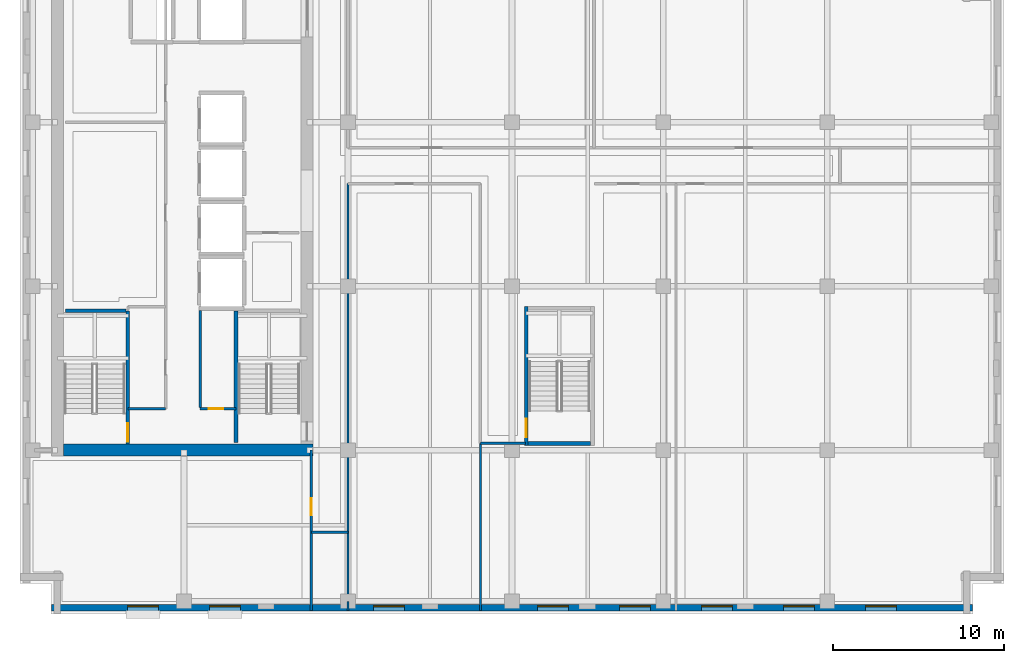
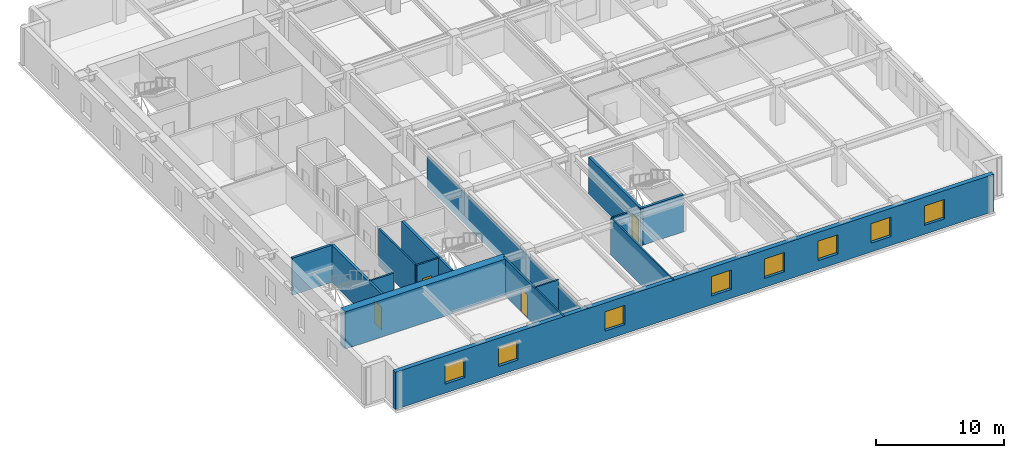
# One storey, part 3 of 14: 16 walls, 8 windows, 4 doors, 12 openings.
"""IFC4 building model written with IfcOpenShell, lengths in metres."""

from ifc_helpers import new_model, si_unit, direction, frame, frame_2d, origin, place, context, subcontext, project, spatial, rectangle, extrude, material, layer, layer_set, type_object, element, fill, save


model = new_model("IFC4")

# Units and contexts
model_context = context("Model", 3, precision=1e-05, world=origin(), true_north=direction((0.0, 1.0)))
body_context = subcontext(model_context, "Body", "Model", "MODEL_VIEW")
ifc_project = project(units=[si_unit("LENGTHUNIT", "METRE"), si_unit("AREAUNIT", "SQUARE_METRE"), si_unit("VOLUMEUNIT", "CUBIC_METRE"), si_unit("PLANEANGLEUNIT", "RADIAN"), si_unit("MASSUNIT", "GRAM", prefix="KILO")], contexts=[model_context])

# Site, building, storey
site_placement = place(None, origin())
site = spatial("IfcSite", under=ifc_project, at=site_placement, CompositionType="ELEMENT")
building_placement = place(site_placement, origin())
building = spatial("IfcBuilding", under=site, at=building_placement, Name="Norrvale University Quadrangle", CompositionType="ELEMENT")
storey_placement = place(building_placement, frame((0.0, 0.0, 214.199951171875)))
storey = spatial("IfcBuildingStorey", under=building, at=storey_placement, Name="L54", CompositionType="ELEMENT", Elevation=214.199951171875)

# Walls
ifc_material_1 = material(Name="Concrete C60/75", Category="concrete")
ifc_layer_1 = layer(ifc_material_1, 0.699951171875, Name="Concrete C60/75")
ifc_layer_set_1 = layer_set([ifc_layer_1], Name="Concrete C60/75")
wall_type_1 = type_object("IfcWallType", Name="Wall Core 700", PredefinedType="SHEAR", material=ifc_layer_set_1)
wall_1_placement = place(storey_placement, frame((2.550048828125, 9.60009765625, 0.0), z_axis=(0.0, 0.0, 1.0), x_axis=(1.0, 0.0, 0.0)))
element("IfcWall", 1, at=wall_1_placement, inside=storey, type_object=wall_type_1, Name="Tower Core Shear Wall L54-S", PredefinedType="SHEAR", context=body_context, shape_type="SweptSolid", body=[
    extrude(rectangle(XDim=14.599853515625, YDim=0.699951171875, at=frame_2d((7.2998046875, 0.0))), origin(), (0.0, 0.0, 1.0), 3.5400390625),
])
ifc_material_2 = material(Name="Standard Academic Gypsum Partition")
ifc_layer_2 = layer(ifc_material_2, 0.125, Name="Standard Academic Gypsum Partition")
ifc_layer_set_2 = layer_set([ifc_layer_2], Name="Standard Academic Gypsum Partition")
wall_type_2 = type_object("IfcWallType", Name="Wall Gypsum Academic 125", PredefinedType="PARTITIONING", material=ifc_layer_set_2)
wall_2_placement = place(storey_placement, frame((19.199951171875, 0.219970703125, 0.0), z_axis=(0.0, 0.0, 1.0), x_axis=(0.0, 1.0, 0.0)))
element("IfcWall", 2, at=wall_2_placement, inside=storey, type_object=wall_type_2, Name="Interior Partition WL-L54-SE-W0", PredefinedType="PARTITIONING", context=body_context, shape_type="SweptSolid", body=[
    extrude(rectangle(XDim=0.530029296875, YDim=0.125, at=frame_2d((0.26513671875, 0.0))), origin(), (0.0, 0.0, 1.0), 3.5400390625),
])
wall_3_placement = place(storey_placement, frame((19.199951171875, 0.75, 0.0), z_axis=(0.0, 0.0, 1.0), x_axis=(0.0, 1.0, 0.0)))
element("IfcWall", 3, at=wall_3_placement, inside=storey, type_object=wall_type_2, Name="Interior Partition WL-L54-SE-W0-B2", PredefinedType="PARTITIONING", context=body_context, shape_type="SweptSolid", body=[
    extrude(rectangle(XDim=24.449951171875, YDim=0.125, at=frame_2d((12.22509765625, 0.0))), origin(), (0.0, 0.0, 1.0), 2.924072265625),
])
wall_4_placement = place(storey_placement, frame((26.949951171875, 0.219970703125, 0.0), z_axis=(0.0, 0.0, 1.0), x_axis=(0.0, 1.0, 0.0)))
element("IfcWall", 4, at=wall_4_placement, inside=storey, type_object=wall_type_2, Name="Interior Partition WL-L54-SEP1A", PredefinedType="PARTITIONING", context=body_context, shape_type="SweptSolid", body=[
    extrude(rectangle(XDim=9.780029296875, YDim=0.125, at=frame_2d((4.89013671875, 0.0))), origin(), (0.0, 0.0, 1.0), 3.5400390625),
])

# Wall, opening, door
ifc_material_3 = material(Name="Fire-Rated Gypsum Stud Partition")
ifc_layer_3 = layer(ifc_material_3, 0.14990234375, Name="Fire-Rated Gypsum Stud Partition")
ifc_layer_set_3 = layer_set([ifc_layer_3], Name="Fire-Rated Gypsum Stud Partition")
wall_type_3 = type_object("IfcWallType", Name="Wall Gypsum Corridor 150", PredefinedType="PARTITIONING", material=ifc_layer_set_3)
wall_5_placement = place(storey_placement, frame((10.550048828125, 12.02001953125, 0.0), z_axis=(0.0, 0.0, 1.0), x_axis=(1.0, 0.0, 0.0)))
wall_5 = element("IfcWall", 5, at=wall_5_placement, inside=storey, type_object=wall_type_3, Name="Interior Partition WL-L54-SC-NR", PredefinedType="PARTITIONING", context=body_context, shape_type="SweptSolid", body=[
    extrude(rectangle(XDim=2.079833984375, YDim=0.14990234375, at=frame_2d((1.0400390625, 0.0))), origin(), (0.0, 0.0, 1.0), 3.5400390625),
])
opening_1_placement = place(wall_5_placement, frame((0.5, 0.0, 0.0)))
opening_1 = element("IfcOpeningElement", 6, at=opening_1_placement, cuts=wall_5, Name="Opening D10", PredefinedType="OPENING", context=body_context, shape_type="SweptSolid", body=[
    extrude(rectangle(XDim=0.85009765625, YDim=2.10009765625, at=frame_2d((0.425048828125, 1.050048828125))), frame((0.0, 0.0869140625, 0.0), z_axis=(0.0, -1.0, 0.0), x_axis=(1.0, 0.0, 0.0)), (0.0, 0.0, 1.0), 0.173828125),
])
ifc_material_4 = material(Name="Hollow Steel 350W Riser Fire Door", Category="steel")
door_type_1 = type_object("IfcDoorType", Name="Door Riser 850x2100", OperationType="NOTDEFINED", PredefinedType="DOOR", material=ifc_material_4)
door_1_placement = place(opening_1_placement, origin())
door_1 = element("IfcDoor", 7, at=door_1_placement, inside=storey, type_object=door_type_1, Name="Door Riser 850x2100 DR-L54-IDF", OperationType="SINGLE_SWING_RIGHT", OverallHeight=2.10009765625, OverallWidth=0.85009765625, PredefinedType="DOOR", context=body_context, shape_type="SweptSolid", body=[
    extrude(rectangle(XDim=0.85009765625, YDim=2.10009765625, at=frame_2d((0.425048828125, 1.050048828125))), frame((0.0, 0.02490234375, 0.0), z_axis=(0.0, -1.0, 0.0), x_axis=(1.0, 0.0, 0.0)), (0.0, 0.0, 1.0), 0.050048828125),
])
fill(opening_1, door_1)

# Walls
wall_6_placement = place(storey_placement, frame((10.550048828125, 12.094970703125, 0.0), z_axis=(0.0, 0.0, 1.0), x_axis=(0.0, 1.0, 0.0)))
element("IfcWall", 8, at=wall_6_placement, inside=storey, type_object=wall_type_3, Name="Interior Partition WL-L54-SC-WR", PredefinedType="PARTITIONING", context=body_context, shape_type="SweptSolid", body=[
    extrude(rectangle(XDim=5.679931640625, YDim=0.14990234375, at=frame_2d((2.83984375, 0.0))), origin(), (0.0, 0.0, 1.0), 3.5400390625),
])
wall_7_placement = place(storey_placement, frame((6.320068359375, 12.02001953125, 0.0), z_axis=(0.0, 0.0, 1.0), x_axis=(1.0, 0.0, 0.0)))
element("IfcWall", 9, at=wall_7_placement, inside=storey, type_object=wall_type_3, Name="Interior Partition WL-L54-REC-S", PredefinedType="PARTITIONING", context=body_context, shape_type="SweptSolid", body=[
    extrude(rectangle(XDim=2.199951171875, YDim=0.14990234375, at=frame_2d((1.10009765625, 0.0))), origin(), (0.0, 0.0, 1.0), 3.5400390625),
])
wall_8_placement = place(storey_placement, frame((17.050048828125, 4.800048828125, 0.0), z_axis=(0.0, 0.0, 1.0), x_axis=(1.0, 0.0, 0.0)))
element("IfcWall", 10, at=wall_8_placement, inside=storey, type_object=wall_type_3, Name="Interior Partition WL-L54-CSP-S", PredefinedType="PARTITIONING", context=body_context, shape_type="SweptSolid", body=[
    extrude(rectangle(XDim=2.14990234375, YDim=0.14990234375, at=frame_2d((1.074951171875, 0.0))), origin(), (0.0, 0.0, 1.0), 3.5400390625),
])

# Wall, opening, door
wall_9_placement = place(storey_placement, frame((17.050048828125, 0.219970703125, 0.0), z_axis=(0.0, 0.0, 1.0), x_axis=(0.0, 1.0, 0.0)))
wall_9 = element("IfcWall", 11, at=wall_9_placement, inside=storey, type_object=wall_type_3, Name="Interior Partition WL-L54-SW-E", PredefinedType="PARTITIONING", context=body_context, shape_type="SweptSolid", body=[
    extrude(rectangle(XDim=9.380126953125, YDim=0.14990234375, at=frame_2d((4.68994140625, 0.0))), origin(), (0.0, 0.0, 1.0), 3.5400390625),
])
opening_2_placement = place(wall_9_placement, frame((5.580078125, 0.0, 0.0)))
opening_2 = element("IfcOpeningElement", 12, at=opening_2_placement, cuts=wall_9, Name="Opening D04", PredefinedType="OPENING", context=body_context, shape_type="SweptSolid", body=[
    extrude(rectangle(XDim=1.0, YDim=2.199951171875, at=frame_2d((0.5, 1.10009765625))), frame((0.0, 0.0869140625, 0.0), z_axis=(0.0, -1.0, 0.0), x_axis=(1.0, 0.0, 0.0)), (0.0, 0.0, 1.0), 0.173828125),
])
ifc_material_5 = material(Name="Solid-Core Oak Fire Door", Category="wood")
door_type_2 = type_object("IfcDoorType", Name="Door Corridor 1000x2200", OperationType="NOTDEFINED", PredefinedType="DOOR", material=ifc_material_5)
door_2_placement = place(opening_2_placement, origin())
door_2 = element("IfcDoor", 13, at=door_2_placement, inside=storey, type_object=door_type_2, Name="Door Corridor 1000x2200 DR-L54-SW1", OperationType="SINGLE_SWING_LEFT", OverallHeight=2.199951171875, OverallWidth=1.0, PredefinedType="DOOR", context=body_context, shape_type="SweptSolid", body=[
    extrude(rectangle(XDim=1.0, YDim=2.199951171875, at=frame_2d((0.5, 1.10009765625))), frame((0.0, 0.02490234375, 0.0), z_axis=(0.0, -1.0, 0.0), x_axis=(1.0, 0.0, 0.0)), (0.0, 0.0, 1.0), 0.050048828125),
])
fill(opening_2, door_2)

# Wall
wall_10_placement = place(storey_placement, frame((26.949951171875, 10.0, 0.0), z_axis=(0.0, 0.0, 1.0), x_axis=(1.0, 0.0, 0.0)))
element("IfcWall", 14, at=wall_10_placement, inside=storey, type_object=wall_type_3, Name="Interior Partition WL-L54-SEP1C", PredefinedType="PARTITIONING", context=body_context, shape_type="SweptSolid", body=[
    extrude(rectangle(XDim=2.630126953125, YDim=0.14990234375, at=frame_2d((1.31494140625, 0.0))), origin(), (0.0, 0.0, 1.0), 3.5400390625),
])

# Wall, openings, windows
ifc_material_6 = material(Name="Red Manganese Brick Masonry", Category="masonry")
ifc_layer_4 = layer(ifc_material_6, 0.39990234375, Name="Red Manganese Brick Masonry")
ifc_layer_set_4 = layer_set([ifc_layer_4], Name="Red Manganese Brick Masonry")
wall_type_4 = type_object("IfcWallType", Name="Wall Red Brick 400", PredefinedType="SOLIDWALL", material=ifc_layer_set_4)
wall_11_placement = place(storey_placement, frame((1.840087890625, 0.3798828125, 0.0), z_axis=(0.0, 0.0, 1.0), x_axis=(1.0, 0.0, 0.0)))
wall_11 = element("IfcWall", 15, at=wall_11_placement, inside=storey, type_object=wall_type_4, Name="Exterior Brick Facade Wall L54-01.1", PredefinedType="SOLIDWALL", context=body_context, shape_type="SweptSolid", body=[
    extrude(rectangle(XDim=53.919921875, YDim=0.39990234375, at=frame_2d((26.9599609375, 0.0))), origin(), (0.0, 0.0, 1.0), 3.5400390625),
])
opening_3_placement = place(wall_11_placement, frame((4.4599609375, 0.0, 0.85009765625)))
opening_3 = element("IfcOpeningElement", 16, at=opening_3_placement, cuts=wall_11, Name="Opening W01", PredefinedType="OPENING", context=body_context, shape_type="SweptSolid", body=[
    extrude(rectangle(XDim=1.800048828125, YDim=1.85009765625, at=frame_2d((0.89990234375, 0.925048828125))), frame((0.0, 0.2119140625, 0.0), z_axis=(0.0, -1.0, 0.0), x_axis=(1.0, 0.0, 0.0)), (0.0, 0.0, 1.0), 0.423828125),
])
opening_4_placement = place(wall_11_placement, frame((9.260009765625, 0.0, 0.85009765625)))
opening_4 = element("IfcOpeningElement", 17, at=opening_4_placement, cuts=wall_11, Name="Opening W01", PredefinedType="OPENING", context=body_context, shape_type="SweptSolid", body=[
    extrude(rectangle(XDim=1.800048828125, YDim=1.85009765625, at=frame_2d((0.89990234375, 0.925048828125))), frame((0.0, 0.2119140625, 0.0), z_axis=(0.0, -1.0, 0.0), x_axis=(1.0, 0.0, 0.0)), (0.0, 0.0, 1.0), 0.423828125),
])
opening_5_placement = place(wall_11_placement, frame((18.860107421875, 0.0, 0.85009765625)))
opening_5 = element("IfcOpeningElement", 18, at=opening_5_placement, cuts=wall_11, Name="Opening W01", PredefinedType="OPENING", context=body_context, shape_type="SweptSolid", body=[
    extrude(rectangle(XDim=1.800048828125, YDim=1.85009765625, at=frame_2d((0.89990234375, 0.925048828125))), frame((0.0, 0.2119140625, 0.0), z_axis=(0.0, -1.0, 0.0), x_axis=(1.0, 0.0, 0.0)), (0.0, 0.0, 1.0), 0.423828125),
])
opening_6_placement = place(wall_11_placement, frame((28.4599609375, 0.0, 0.85009765625)))
opening_6 = element("IfcOpeningElement", 19, at=opening_6_placement, cuts=wall_11, Name="Opening W01", PredefinedType="OPENING", context=body_context, shape_type="SweptSolid", body=[
    extrude(rectangle(XDim=1.800048828125, YDim=1.85009765625, at=frame_2d((0.89990234375, 0.925048828125))), frame((0.0, 0.2119140625, 0.0), z_axis=(0.0, -1.0, 0.0), x_axis=(1.0, 0.0, 0.0)), (0.0, 0.0, 1.0), 0.423828125),
])
opening_7_placement = place(wall_11_placement, frame((33.260009765625, 0.0, 0.85009765625)))
opening_7 = element("IfcOpeningElement", 20, at=opening_7_placement, cuts=wall_11, Name="Opening W01", PredefinedType="OPENING", context=body_context, shape_type="SweptSolid", body=[
    extrude(rectangle(XDim=1.800048828125, YDim=1.85009765625, at=frame_2d((0.89990234375, 0.925048828125))), frame((0.0, 0.2119140625, 0.0), z_axis=(0.0, -1.0, 0.0), x_axis=(1.0, 0.0, 0.0)), (0.0, 0.0, 1.0), 0.423828125),
])
opening_8_placement = place(wall_11_placement, frame((38.06005859375, 0.0, 0.85009765625)))
opening_8 = element("IfcOpeningElement", 21, at=opening_8_placement, cuts=wall_11, Name="Opening W01", PredefinedType="OPENING", context=body_context, shape_type="SweptSolid", body=[
    extrude(rectangle(XDim=1.800048828125, YDim=1.85009765625, at=frame_2d((0.89990234375, 0.925048828125))), frame((0.0, 0.2119140625, 0.0), z_axis=(0.0, -1.0, 0.0), x_axis=(1.0, 0.0, 0.0)), (0.0, 0.0, 1.0), 0.423828125),
])
opening_9_placement = place(wall_11_placement, frame((42.860107421875, 0.0, 0.85009765625)))
opening_9 = element("IfcOpeningElement", 22, at=opening_9_placement, cuts=wall_11, Name="Opening W01", PredefinedType="OPENING", context=body_context, shape_type="SweptSolid", body=[
    extrude(rectangle(XDim=1.800048828125, YDim=1.85009765625, at=frame_2d((0.89990234375, 0.925048828125))), frame((0.0, 0.2119140625, 0.0), z_axis=(0.0, -1.0, 0.0), x_axis=(1.0, 0.0, 0.0)), (0.0, 0.0, 1.0), 0.423828125),
])
opening_10_placement = place(wall_11_placement, frame((47.659912109375, 0.0, 0.85009765625)))
opening_10 = element("IfcOpeningElement", 23, at=opening_10_placement, cuts=wall_11, Name="Opening W01", PredefinedType="OPENING", context=body_context, shape_type="SweptSolid", body=[
    extrude(rectangle(XDim=1.800048828125, YDim=1.85009765625, at=frame_2d((0.89990234375, 0.925048828125))), frame((0.0, 0.2119140625, 0.0), z_axis=(0.0, -1.0, 0.0), x_axis=(1.0, 0.0, 0.0)), (0.0, 0.0, 1.0), 0.423828125),
])
ifc_material_7 = material(Name="Triple Low-E Argon Glazing", Category="glass")
window_type = type_object("IfcWindowType", Name="Window Academic 1800x2300", PartitioningType="DOUBLE_PANEL_VERTICAL", PredefinedType="WINDOW", material=ifc_material_7)
window_1_placement = place(opening_3_placement, origin())
window_1 = element("IfcWindow", 24, at=window_1_placement, inside=storey, type_object=window_type, Name="Window Academic 1800x2300 WIN-L54-E01-1-01", OverallHeight=1.85009765625, OverallWidth=1.800048828125, PartitioningType="DOUBLE_PANEL_VERTICAL", PredefinedType="WINDOW", context=body_context, shape_type="SweptSolid", body=[
    extrude(rectangle(XDim=1.800048828125, YDim=1.85009765625, at=frame_2d((0.89990234375, 0.925048828125))), frame((0.0, 0.110107421875, 0.0), z_axis=(0.0, -1.0, 0.0), x_axis=(1.0, 0.0, 0.0)), (0.0, 0.0, 1.0), 0.06005859375),
])
fill(opening_3, window_1)
window_2_placement = place(opening_4_placement, origin())
window_2 = element("IfcWindow", 25, at=window_2_placement, inside=storey, type_object=window_type, Name="Window Academic 1800x2300 WIN-L54-E01-1-02", OverallHeight=1.85009765625, OverallWidth=1.800048828125, PartitioningType="DOUBLE_PANEL_VERTICAL", PredefinedType="WINDOW", context=body_context, shape_type="SweptSolid", body=[
    extrude(rectangle(XDim=1.800048828125, YDim=1.85009765625, at=frame_2d((0.89990234375, 0.925048828125))), frame((0.0, 0.110107421875, 0.0), z_axis=(0.0, -1.0, 0.0), x_axis=(1.0, 0.0, 0.0)), (0.0, 0.0, 1.0), 0.06005859375),
])
fill(opening_4, window_2)
window_3_placement = place(opening_5_placement, origin())
window_3 = element("IfcWindow", 26, at=window_3_placement, inside=storey, type_object=window_type, Name="Window Academic 1800x2300 WIN-L54-E01-1-03", OverallHeight=1.85009765625, OverallWidth=1.800048828125, PartitioningType="DOUBLE_PANEL_VERTICAL", PredefinedType="WINDOW", context=body_context, shape_type="SweptSolid", body=[
    extrude(rectangle(XDim=1.800048828125, YDim=1.85009765625, at=frame_2d((0.89990234375, 0.925048828125))), frame((0.0, 0.110107421875, 0.0), z_axis=(0.0, -1.0, 0.0), x_axis=(1.0, 0.0, 0.0)), (0.0, 0.0, 1.0), 0.06005859375),
])
fill(opening_5, window_3)
window_4_placement = place(opening_6_placement, origin())
window_4 = element("IfcWindow", 27, at=window_4_placement, inside=storey, type_object=window_type, Name="Window Academic 1800x2300 WIN-L54-E01-1-04", OverallHeight=1.85009765625, OverallWidth=1.800048828125, PartitioningType="DOUBLE_PANEL_VERTICAL", PredefinedType="WINDOW", context=body_context, shape_type="SweptSolid", body=[
    extrude(rectangle(XDim=1.800048828125, YDim=1.85009765625, at=frame_2d((0.89990234375, 0.925048828125))), frame((0.0, 0.110107421875, 0.0), z_axis=(0.0, -1.0, 0.0), x_axis=(1.0, 0.0, 0.0)), (0.0, 0.0, 1.0), 0.06005859375),
])
fill(opening_6, window_4)
window_5_placement = place(opening_7_placement, origin())
window_5 = element("IfcWindow", 28, at=window_5_placement, inside=storey, type_object=window_type, Name="Window Academic 1800x2300 WIN-L54-E01-1-05", OverallHeight=1.85009765625, OverallWidth=1.800048828125, PartitioningType="DOUBLE_PANEL_VERTICAL", PredefinedType="WINDOW", context=body_context, shape_type="SweptSolid", body=[
    extrude(rectangle(XDim=1.800048828125, YDim=1.85009765625, at=frame_2d((0.89990234375, 0.925048828125))), frame((0.0, 0.110107421875, 0.0), z_axis=(0.0, -1.0, 0.0), x_axis=(1.0, 0.0, 0.0)), (0.0, 0.0, 1.0), 0.06005859375),
])
fill(opening_7, window_5)
window_6_placement = place(opening_8_placement, origin())
window_6 = element("IfcWindow", 29, at=window_6_placement, inside=storey, type_object=window_type, Name="Window Academic 1800x2300 WIN-L54-E01-1-06", OverallHeight=1.85009765625, OverallWidth=1.800048828125, PartitioningType="DOUBLE_PANEL_VERTICAL", PredefinedType="WINDOW", context=body_context, shape_type="SweptSolid", body=[
    extrude(rectangle(XDim=1.800048828125, YDim=1.85009765625, at=frame_2d((0.89990234375, 0.925048828125))), frame((0.0, 0.110107421875, 0.0), z_axis=(0.0, -1.0, 0.0), x_axis=(1.0, 0.0, 0.0)), (0.0, 0.0, 1.0), 0.06005859375),
])
fill(opening_8, window_6)
window_7_placement = place(opening_9_placement, origin())
window_7 = element("IfcWindow", 30, at=window_7_placement, inside=storey, type_object=window_type, Name="Window Academic 1800x2300 WIN-L54-E01-1-07", OverallHeight=1.85009765625, OverallWidth=1.800048828125, PartitioningType="DOUBLE_PANEL_VERTICAL", PredefinedType="WINDOW", context=body_context, shape_type="SweptSolid", body=[
    extrude(rectangle(XDim=1.800048828125, YDim=1.85009765625, at=frame_2d((0.89990234375, 0.925048828125))), frame((0.0, 0.110107421875, 0.0), z_axis=(0.0, -1.0, 0.0), x_axis=(1.0, 0.0, 0.0)), (0.0, 0.0, 1.0), 0.06005859375),
])
fill(opening_9, window_7)
window_8_placement = place(opening_10_placement, origin())
window_8 = element("IfcWindow", 31, at=window_8_placement, inside=storey, type_object=window_type, Name="Window Academic 1800x2300 WIN-L54-E01-1-08", OverallHeight=1.85009765625, OverallWidth=1.800048828125, PartitioningType="DOUBLE_PANEL_VERTICAL", PredefinedType="WINDOW", context=body_context, shape_type="SweptSolid", body=[
    extrude(rectangle(XDim=1.800048828125, YDim=1.85009765625, at=frame_2d((0.89990234375, 0.925048828125))), frame((0.0, 0.110107421875, 0.0), z_axis=(0.0, -1.0, 0.0), x_axis=(1.0, 0.0, 0.0)), (0.0, 0.0, 1.0), 0.06005859375),
])
fill(opening_10, window_8)

# Wall, opening, door
ifc_material_8 = material(Name="Concrete Blockwork 20 MPa Fire Shaft", Category="masonry")
ifc_layer_5 = layer(ifc_material_8, 0.219970703125, Name="Concrete Blockwork 20 MPa Fire Shaft")
ifc_layer_set_5 = layer_set([ifc_layer_5], Name="Concrete Blockwork 20 MPa Fire Shaft")
wall_type_5 = type_object("IfcWallType", Name="Wall Shaft 220", PredefinedType="SOLIDWALL", material=ifc_layer_set_5)
wall_12_placement = place(storey_placement, frame((6.31005859375, 9.949951171875, 0.0), z_axis=(0.0, 0.0, 1.0), x_axis=(0.0, 1.0, 0.0)))
wall_12 = element("IfcWall", 32, at=wall_12_placement, inside=storey, type_object=wall_type_5, Name="Stair ST-01 East Shaft Wall L54", PredefinedType="SOLIDWALL", context=body_context, shape_type="SweptSolid", body=[
    extrude(rectangle(XDim=7.81005859375, YDim=0.219970703125, at=frame_2d((3.905029296875, 0.0))), origin(), (0.0, 0.0, 1.0), 3.5400390625),
])
opening_11_placement = place(wall_12_placement, frame((0.139892578125, 0.0, 0.0)))
opening_11 = element("IfcOpeningElement", 33, at=opening_11_placement, cuts=wall_12, Name="Opening D02", PredefinedType="OPENING", context=body_context, shape_type="SweptSolid", body=[
    extrude(rectangle(XDim=1.10009765625, YDim=2.199951171875, at=frame_2d((0.550048828125, 1.10009765625))), frame((0.0, 0.1220703125, 0.0), z_axis=(0.0, -1.0, 0.0), x_axis=(1.0, 0.0, 0.0)), (0.0, 0.0, 1.0), 0.243896484375),
])
ifc_material_9 = material(Name="Hollow Steel 350W Fire Door", Category="steel")
door_type_3 = type_object("IfcDoorType", Name="Door Stair Exit 1100x2200", OperationType="NOTDEFINED", PredefinedType="DOOR", material=ifc_material_9)
door_3_placement = place(opening_11_placement, origin())
door_3 = element("IfcDoor", 34, at=door_3_placement, inside=storey, type_object=door_type_3, Name="Door Stair Exit 1100x2200 DR-L54-ST01", OperationType="SINGLE_SWING_LEFT", OverallHeight=2.199951171875, OverallWidth=1.10009765625, PredefinedType="DOOR", context=body_context, shape_type="SweptSolid", body=[
    extrude(rectangle(XDim=1.10009765625, YDim=2.199951171875, at=frame_2d((0.550048828125, 1.10009765625))), frame((0.0, 0.02490234375, 0.0), z_axis=(0.0, -1.0, 0.0), x_axis=(1.0, 0.0, 0.0)), (0.0, 0.0, 1.0), 0.050048828125),
])
fill(opening_11, door_3)

# Walls
wall_13_placement = place(storey_placement, frame((2.64990234375, 17.760009765625, 0.0), z_axis=(0.0, 0.0, 1.0), x_axis=(1.0, 0.0, 0.0)))
element("IfcWall", 35, at=wall_13_placement, inside=storey, type_object=wall_type_5, Name="Stair ST-01 North Shaft Wall L54", PredefinedType="SOLIDWALL", context=body_context, shape_type="SweptSolid", body=[
    extrude(rectangle(XDim=3.550048828125, YDim=0.219970703125, at=frame_2d((1.77490234375, 0.0))), origin(), (0.0, 0.0, 1.0), 3.5400390625),
])
wall_14_placement = place(storey_placement, frame((12.639892578125, 10.050048828125, 0.0), z_axis=(0.0, 0.0, 1.0), x_axis=(0.0, 1.0, 0.0)))
element("IfcWall", 36, at=wall_14_placement, inside=storey, type_object=wall_type_5, Name="Stair ST-03 West Shaft Wall L54", PredefinedType="SOLIDWALL", context=body_context, shape_type="SweptSolid", body=[
    extrude(rectangle(XDim=7.7099609375, YDim=0.219970703125, at=frame_2d((3.85498046875, 0.0))), origin(), (0.0, 0.0, 1.0), 3.5400390625),
])
wall_15_placement = place(storey_placement, frame((29.75, 9.989990234375, 0.0), z_axis=(0.0, 0.0, 1.0), x_axis=(1.0, 0.0, 0.0)))
element("IfcWall", 37, at=wall_15_placement, inside=storey, type_object=wall_type_5, Name="Stair ST-04 South Shaft Wall L54", PredefinedType="SOLIDWALL", context=body_context, shape_type="SweptSolid", body=[
    extrude(rectangle(XDim=3.64990234375, YDim=0.219970703125, at=frame_2d((1.824951171875, 0.0))), origin(), (0.0, 0.0, 1.0), 3.5400390625),
])

# Wall, opening, door
wall_16_placement = place(storey_placement, frame((29.639892578125, 9.8798828125, 0.0), z_axis=(0.0, 0.0, 1.0), x_axis=(0.0, 1.0, 0.0)))
wall_16 = element("IfcWall", 38, at=wall_16_placement, inside=storey, type_object=wall_type_5, Name="Stair ST-04 West Shaft Wall L54", PredefinedType="SOLIDWALL", context=body_context, shape_type="SweptSolid", body=[
    extrude(rectangle(XDim=8.14013671875, YDim=0.219970703125, at=frame_2d((4.070068359375, 0.0))), origin(), (0.0, 0.0, 1.0), 3.5400390625),
])
opening_12_placement = place(wall_16_placement, frame((0.469970703125, 0.0, 0.0)))
opening_12 = element("IfcOpeningElement", 39, at=opening_12_placement, cuts=wall_16, Name="Opening D02", PredefinedType="OPENING", context=body_context, shape_type="SweptSolid", body=[
    extrude(rectangle(XDim=1.10009765625, YDim=2.199951171875, at=frame_2d((0.550048828125, 1.10009765625))), frame((0.0, 0.1220703125, 0.0), z_axis=(0.0, -1.0, 0.0), x_axis=(1.0, 0.0, 0.0)), (0.0, 0.0, 1.0), 0.243896484375),
])
door_4_placement = place(opening_12_placement, frame((1.10009765625, 0.0, 0.0), z_axis=(0.0, 0.0, 1.0), x_axis=(-1.0, 0.0, 0.0)))
door_4 = element("IfcDoor", 40, at=door_4_placement, inside=storey, type_object=door_type_3, Name="Door Stair Exit 1100x2200 DR-L54-ST04", OperationType="SINGLE_SWING_RIGHT", OverallHeight=2.199951171875, OverallWidth=1.10009765625, PredefinedType="DOOR", context=body_context, shape_type="SweptSolid", body=[
    extrude(rectangle(XDim=1.10009765625, YDim=2.199951171875, at=frame_2d((0.550048828125, 1.10009765625))), frame((0.0, 0.02490234375, 0.0), z_axis=(0.0, -1.0, 0.0), x_axis=(1.0, 0.0, 0.0)), (0.0, 0.0, 1.0), 0.050048828125),
])
fill(opening_12, door_4)

save(model, "model.ifc")
